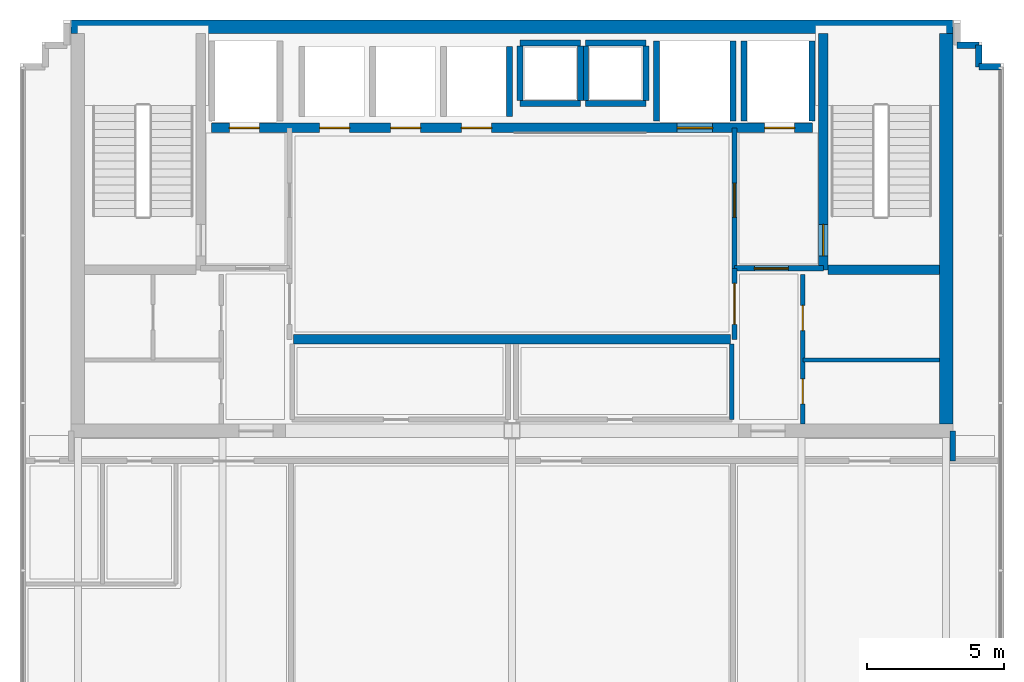
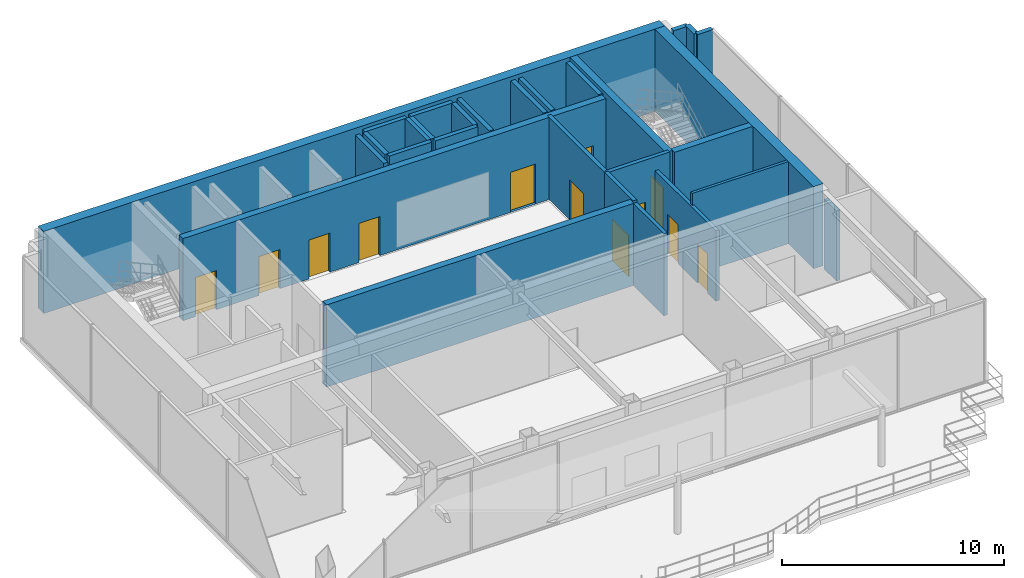
# One storey, part 7 of 11: 29 walls, 12 doors, 12 openings.
"""IFC4 building model written with IfcOpenShell, lengths in metres."""

from ifc_helpers import new_model, si_unit, direction, frame, frame_2d, origin, place, context, subcontext, project, spatial, rectangle, extrude, material, layer, layer_set, type_object, element, fill, save


model = new_model("IFC4")

# Units and contexts
model_context = context("Model", 3, precision=1e-05, world=origin(), true_north=direction((0.0, 1.0)))
body_context = subcontext(model_context, "Body", "Model", "MODEL_VIEW")
ifc_project = project(units=[si_unit("LENGTHUNIT", "METRE"), si_unit("AREAUNIT", "SQUARE_METRE"), si_unit("VOLUMEUNIT", "CUBIC_METRE"), si_unit("PLANEANGLEUNIT", "RADIAN"), si_unit("MASSUNIT", "GRAM", prefix="KILO")], contexts=[model_context])

# Site, building, storey
site_placement = place(None, origin())
site = spatial("IfcSite", under=ifc_project, at=site_placement, CompositionType="ELEMENT")
building_placement = place(site_placement, origin())
building = spatial("IfcBuilding", under=site, at=building_placement, Name="Qianlan Lanfeng Residences", CompositionType="ELEMENT")
storey_placement = place(building_placement, frame((0.0, 0.0, 266.0)))
storey = spatial("IfcBuildingStorey", under=building, at=storey_placement, Name="L74", CompositionType="ELEMENT", Elevation=266.0)

# Walls
ifc_material_1 = material(Name="Concrete C49", Category="concrete")
ifc_layer_1 = layer(ifc_material_1, 0.5)
ifc_layer_set_1 = layer_set([ifc_layer_1], Name="Concrete C49")
wall_type_1 = type_object("IfcWallType", Name="CW-EXT-500", PredefinedType="SHEAR", material=ifc_layer_set_1)
wall_1_placement = place(storey_placement, frame((10.35009765625, 40.0, 0.0), z_axis=(0.0, 0.0, 1.0), x_axis=(1.0, 0.0, 0.0)))
element("IfcWall", 1, at=wall_1_placement, inside=storey, type_object=wall_type_1, Name="L74 Core Shear Wall N", PredefinedType="SHEAR", context=body_context, shape_type="SweptSolid", body=[
    extrude(rectangle(XDim=32.2998046875, YDim=0.5, at=frame_2d((16.14990234375, 0.0))), origin(), (0.0, 0.0, 1.0), 4.52001953125),
])
wall_2_placement = place(storey_placement, frame((42.39990234375, 25.449951171875, 0.0), z_axis=(0.0, 0.0, 1.0), x_axis=(0.0, 1.0, 0.0)))
element("IfcWall", 2, at=wall_2_placement, inside=storey, type_object=wall_type_1, Name="L74 Core Shear Wall E", PredefinedType="SHEAR", context=body_context, shape_type="SweptSolid", body=[
    extrude(rectangle(XDim=14.300048828125, YDim=0.5, at=frame_2d((7.14990234375, 0.0))), origin(), (0.0, 0.0, 1.0), 4.52001953125),
])

# Wall, opening, door
ifc_layer_2 = layer(ifc_material_1, 0.35009765625)
ifc_layer_set_2 = layer_set([ifc_layer_2], Name="Concrete C49")
wall_type_2 = type_object("IfcWallType", Name="CW-RC-350", PredefinedType="SHEAR", material=ifc_layer_set_2)
wall_3_placement = place(storey_placement, frame((37.89990234375, 31.10009765625, 0.0), z_axis=(0.0, 0.0, 1.0), x_axis=(0.0, 1.0, 0.0)))
wall_3 = element("IfcWall", 3, at=wall_3_placement, inside=storey, type_object=wall_type_2, Name="L74 Core Shear Wall ST2W", PredefinedType="SHEAR", context=body_context, shape_type="SweptSolid", body=[
    extrude(rectangle(XDim=8.64990234375, YDim=0.35009765625, at=frame_2d((4.324951171875, 0.0))), origin(), (0.0, 0.0, 1.0), 4.52001953125),
])
opening_1_placement = place(wall_3_placement, frame((0.510009765625, 0.0, 0.0)))
opening_1 = element("IfcOpeningElement", 4, at=opening_1_placement, cuts=wall_3, Name="Opening L74-D08", PredefinedType="OPENING", context=body_context, shape_type="SweptSolid", body=[
    extrude(rectangle(XDim=1.14990234375, YDim=2.199951171875, at=frame_2d((0.574951171875, 1.10009765625))), frame((0.0, 0.18505859375, 0.0), z_axis=(0.0, -1.0, 0.0), x_axis=(1.0, 0.0, 0.0)), (0.0, 0.0, 1.0), 0.3701171875),
])
ifc_material_2 = material(Name="Painted Galvanised Steel Fire Door", Category="steel")
door_type_1 = type_object("IfcDoorType", Name="DT-ST1", OperationType="NOTDEFINED", PredefinedType="DOOR", material=ifc_material_2)
door_1_placement = place(opening_1_placement, origin())
door_1 = element("IfcDoor", 5, at=door_1_placement, inside=storey, type_object=door_type_1, Name="L74 Exit Stair ST-2 Door L74-D08 (DT-ST1)", OperationType="SINGLE_SWING_RIGHT", OverallHeight=2.199951171875, OverallWidth=1.14990234375, PredefinedType="DOOR", context=body_context, shape_type="SweptSolid", body=[
    extrude(rectangle(XDim=1.14990234375, YDim=2.199951171875, at=frame_2d((0.574951171875, 1.10009765625))), frame((0.0, 0.02490234375, 0.0), z_axis=(0.0, -1.0, 0.0), x_axis=(1.0, 0.0, 0.0)), (0.0, 0.0, 1.0), 0.050048828125),
])
fill(opening_1, door_1)

# Wall
wall_4_placement = place(storey_placement, frame((38.074951171875, 31.10009765625, 0.0), z_axis=(0.0, 0.0, 1.0), x_axis=(1.0, 0.0, 0.0)))
element("IfcWall", 6, at=wall_4_placement, inside=storey, type_object=wall_type_2, Name="L74 Core Shear Wall ST2S", PredefinedType="SHEAR", context=body_context, shape_type="SweptSolid", body=[
    extrude(rectangle(XDim=4.074951171875, YDim=0.35009765625, at=frame_2d((2.03759765625, 0.0))), origin(), (0.0, 0.0, 1.0), 4.52001953125),
])

# Wall, openings, doors
wall_5_placement = place(storey_placement, frame((15.5, 36.300048828125, 0.0), z_axis=(0.0, 0.0, 1.0), x_axis=(1.0, 0.0, 0.0)))
wall_5 = element("IfcWall", 7, at=wall_5_placement, inside=storey, type_object=wall_type_2, Name="L74 Core Shear Wall LBN", PredefinedType="SHEAR", context=body_context, shape_type="SweptSolid", body=[
    extrude(rectangle(XDim=22.0, YDim=0.35009765625, at=frame_2d((11.0, 0.0))), origin(), (0.0, 0.0, 1.0), 4.52001953125),
])
opening_2_placement = place(wall_5_placement, frame((0.64990234375, 0.0, 0.0)))
opening_2 = element("IfcOpeningElement", 8, at=opening_2_placement, cuts=wall_5, Name="Opening L74-LD-FFL-1", PredefinedType="OPENING", context=body_context, shape_type="SweptSolid", body=[
    extrude(rectangle(XDim=1.10009765625, YDim=2.14990234375, at=frame_2d((0.550048828125, 1.074951171875))), frame((0.0, 0.18505859375, 0.0), z_axis=(0.0, -1.0, 0.0), x_axis=(1.0, 0.0, 0.0)), (0.0, 0.0, 1.0), 0.3701171875),
])
opening_3_placement = place(wall_5_placement, frame((20.25, 0.0, 0.0)))
opening_3 = element("IfcOpeningElement", 9, at=opening_3_placement, cuts=wall_5, Name="Opening L74-LD-FFL-2", PredefinedType="OPENING", context=body_context, shape_type="SweptSolid", body=[
    extrude(rectangle(XDim=1.10009765625, YDim=2.14990234375, at=frame_2d((0.550048828125, 1.074951171875))), frame((0.0, 0.18505859375, 0.0), z_axis=(0.0, -1.0, 0.0), x_axis=(1.0, 0.0, 0.0)), (0.0, 0.0, 1.0), 0.3701171875),
])
opening_4_placement = place(wall_5_placement, frame((17.050048828125, 0.0, 0.0)))
opening_4 = element("IfcOpeningElement", 10, at=opening_4_placement, cuts=wall_5, Name="Opening L74-LD-SVL-1", PredefinedType="OPENING", context=body_context, shape_type="SweptSolid", body=[
    extrude(rectangle(XDim=1.300048828125, YDim=2.199951171875, at=frame_2d((0.64990234375, 1.10009765625))), frame((0.0, 0.18505859375, 0.0), z_axis=(0.0, -1.0, 0.0), x_axis=(1.0, 0.0, 0.0)), (0.0, 0.0, 1.0), 0.3701171875),
])
opening_5_placement = place(wall_5_placement, frame((3.949951171875, 0.0, 0.0)))
opening_5 = element("IfcOpeningElement", 11, at=opening_5_placement, cuts=wall_5, Name="Opening L74-LD-PL-H1", PredefinedType="OPENING", context=body_context, shape_type="SweptSolid", body=[
    extrude(rectangle(XDim=1.10009765625, YDim=2.14990234375, at=frame_2d((0.550048828125, 1.074951171875))), frame((0.0, 0.18505859375, 0.0), z_axis=(0.0, -1.0, 0.0), x_axis=(1.0, 0.0, 0.0)), (0.0, 0.0, 1.0), 0.3701171875),
])
opening_6_placement = place(wall_5_placement, frame((6.550048828125, 0.0, 0.0)))
opening_6 = element("IfcOpeningElement", 12, at=opening_6_placement, cuts=wall_5, Name="Opening L74-LD-PL-H2", PredefinedType="OPENING", context=body_context, shape_type="SweptSolid", body=[
    extrude(rectangle(XDim=1.10009765625, YDim=2.14990234375, at=frame_2d((0.550048828125, 1.074951171875))), frame((0.0, 0.18505859375, 0.0), z_axis=(0.0, -1.0, 0.0), x_axis=(1.0, 0.0, 0.0)), (0.0, 0.0, 1.0), 0.3701171875),
])
opening_7_placement = place(wall_5_placement, frame((9.14990234375, 0.0, 0.0)))
opening_7 = element("IfcOpeningElement", 13, at=opening_7_placement, cuts=wall_5, Name="Opening L74-LD-PL-H3", PredefinedType="OPENING", context=body_context, shape_type="SweptSolid", body=[
    extrude(rectangle(XDim=1.10009765625, YDim=2.14990234375, at=frame_2d((0.550048828125, 1.074951171875))), frame((0.0, 0.18505859375, 0.0), z_axis=(0.0, -1.0, 0.0), x_axis=(1.0, 0.0, 0.0)), (0.0, 0.0, 1.0), 0.3701171875),
])
ifc_material_3 = material(Name="Brushed Stainless Steel Sliding Lift Door", Category="steel")
door_type_2 = type_object("IfcDoorType", Name="LD-01", OperationType="NOTDEFINED", PredefinedType="DOOR", material=ifc_material_3)
door_2_placement = place(opening_2_placement, frame((1.10009765625, 0.0, 0.0), z_axis=(0.0, 0.0, 1.0), x_axis=(-1.0, 0.0, 0.0)))
door_2 = element("IfcDoor", 14, at=door_2_placement, inside=storey, type_object=door_type_2, Name="L74 Elevator FFL-1 Sliding Landing Door", OperationType="DOUBLE_DOOR_SLIDING", OverallHeight=2.14990234375, OverallWidth=1.10009765625, PredefinedType="DOOR", context=body_context, shape_type="SweptSolid", body=[
    extrude(rectangle(XDim=1.10009765625, YDim=2.14990234375, at=frame_2d((0.550048828125, 1.074951171875))), frame((0.0, 0.02490234375, 0.0), z_axis=(0.0, -1.0, 0.0), x_axis=(1.0, 0.0, 0.0)), (0.0, 0.0, 1.0), 0.050048828125),
])
fill(opening_2, door_2)
door_3_placement = place(opening_3_placement, frame((1.10009765625, 0.0, 0.0), z_axis=(0.0, 0.0, 1.0), x_axis=(-1.0, 0.0, 0.0)))
door_3 = element("IfcDoor", 15, at=door_3_placement, inside=storey, type_object=door_type_2, Name="L74 Elevator FFL-2 Sliding Landing Door", OperationType="DOUBLE_DOOR_SLIDING", OverallHeight=2.14990234375, OverallWidth=1.10009765625, PredefinedType="DOOR", context=body_context, shape_type="SweptSolid", body=[
    extrude(rectangle(XDim=1.10009765625, YDim=2.14990234375, at=frame_2d((0.550048828125, 1.074951171875))), frame((0.0, 0.02490234375, 0.0), z_axis=(0.0, -1.0, 0.0), x_axis=(1.0, 0.0, 0.0)), (0.0, 0.0, 1.0), 0.050048828125),
])
fill(opening_3, door_3)
door_4_placement = place(opening_5_placement, frame((1.10009765625, 0.0, 0.0), z_axis=(0.0, 0.0, 1.0), x_axis=(-1.0, 0.0, 0.0)))
door_4 = element("IfcDoor", 16, at=door_4_placement, inside=storey, type_object=door_type_2, Name="L74 Elevator PL-H1 Sliding Landing Door", OperationType="DOUBLE_DOOR_SLIDING", OverallHeight=2.14990234375, OverallWidth=1.10009765625, PredefinedType="DOOR", context=body_context, shape_type="SweptSolid", body=[
    extrude(rectangle(XDim=1.10009765625, YDim=2.14990234375, at=frame_2d((0.550048828125, 1.074951171875))), frame((0.0, 0.02490234375, 0.0), z_axis=(0.0, -1.0, 0.0), x_axis=(1.0, 0.0, 0.0)), (0.0, 0.0, 1.0), 0.050048828125),
])
fill(opening_5, door_4)
door_5_placement = place(opening_6_placement, frame((1.10009765625, 0.0, 0.0), z_axis=(0.0, 0.0, 1.0), x_axis=(-1.0, 0.0, 0.0)))
door_5 = element("IfcDoor", 17, at=door_5_placement, inside=storey, type_object=door_type_2, Name="L74 Elevator PL-H2 Sliding Landing Door", OperationType="DOUBLE_DOOR_SLIDING", OverallHeight=2.14990234375, OverallWidth=1.10009765625, PredefinedType="DOOR", context=body_context, shape_type="SweptSolid", body=[
    extrude(rectangle(XDim=1.10009765625, YDim=2.14990234375, at=frame_2d((0.550048828125, 1.074951171875))), frame((0.0, 0.02490234375, 0.0), z_axis=(0.0, -1.0, 0.0), x_axis=(1.0, 0.0, 0.0)), (0.0, 0.0, 1.0), 0.050048828125),
])
fill(opening_6, door_5)
door_6_placement = place(opening_7_placement, frame((1.10009765625, 0.0, 0.0), z_axis=(0.0, 0.0, 1.0), x_axis=(-1.0, 0.0, 0.0)))
door_6 = element("IfcDoor", 18, at=door_6_placement, inside=storey, type_object=door_type_2, Name="L74 Elevator PL-H3 Sliding Landing Door", OperationType="DOUBLE_DOOR_SLIDING", OverallHeight=2.14990234375, OverallWidth=1.10009765625, PredefinedType="DOOR", context=body_context, shape_type="SweptSolid", body=[
    extrude(rectangle(XDim=1.10009765625, YDim=2.14990234375, at=frame_2d((0.550048828125, 1.074951171875))), frame((0.0, 0.02490234375, 0.0), z_axis=(0.0, -1.0, 0.0), x_axis=(1.0, 0.0, 0.0)), (0.0, 0.0, 1.0), 0.050048828125),
])
fill(opening_7, door_6)
door_type_3 = type_object("IfcDoorType", Name="LD-02", OperationType="NOTDEFINED", PredefinedType="DOOR", material=ifc_material_3)
door_7_placement = place(opening_4_placement, frame((1.300048828125, 0.0, 0.0), z_axis=(0.0, 0.0, 1.0), x_axis=(-1.0, 0.0, 0.0)))
door_7 = element("IfcDoor", 19, at=door_7_placement, inside=storey, type_object=door_type_3, Name="L74 Elevator SVL-1 Sliding Landing Door", OperationType="DOUBLE_DOOR_SLIDING", OverallHeight=2.199951171875, OverallWidth=1.300048828125, PredefinedType="DOOR", context=body_context, shape_type="SweptSolid", body=[
    extrude(rectangle(XDim=1.300048828125, YDim=2.199951171875, at=frame_2d((0.64990234375, 1.10009765625))), frame((0.0, 0.02490234375, 0.0), z_axis=(0.0, -1.0, 0.0), x_axis=(1.0, 0.0, 0.0)), (0.0, 0.0, 1.0), 0.050048828125),
])
fill(opening_4, door_7)

# Walls
wall_6_placement = place(storey_placement, frame((18.5, 28.550048828125, 0.0), z_axis=(0.0, 0.0, 1.0), x_axis=(1.0, 0.0, 0.0)))
element("IfcWall", 20, at=wall_6_placement, inside=storey, type_object=wall_type_2, Name="L74 Core Shear Wall LBS", PredefinedType="SHEAR", context=body_context, shape_type="SweptSolid", body=[
    extrude(rectangle(XDim=16.0, YDim=0.35009765625, at=frame_2d((8.0, 0.0))), origin(), (0.0, 0.0, 1.0), 4.52001953125),
])
ifc_material_4 = material(Name="Concrete C42", Category="concrete")
ifc_layer_3 = layer(ifc_material_4, 0.239990234375)
ifc_layer_set_3 = layer_set([ifc_layer_3], Name="Concrete C42")
wall_type_3 = type_object("IfcWallType", Name="EW-240", PredefinedType="SOLIDWALL", material=ifc_layer_set_3)
wall_7_placement = place(storey_placement, frame((44.39990234375, 38.530029296875, 0.0), z_axis=(0.0, 0.0, 1.0), x_axis=(-1.0, 0.0, 0.0)))
element("IfcWall", 21, at=wall_7_placement, inside=storey, type_object=wall_type_3, Name="L74 Exterior Facade Wall 9", PredefinedType="SOLIDWALL", context=body_context, shape_type="SweptSolid", body=[
    extrude(rectangle(XDim=0.7998046875, YDim=0.239990234375, at=frame_2d((0.39990234375, 0.0))), origin(), (0.0, 0.0, 1.0), 4.52001953125),
])
for number, where, z_axis, x_axis, name in (
    (22, (43.60009765625, 38.530029296875, 0.0), (0.0, 0.0, 1.0), (0.0, 1.0, 0.0), "L74 Exterior Facade Wall 10"),
    (23, (43.60009765625, 39.330078125, 0.0), (0.0, 0.0, 1.0), (-1.0, 0.0, 0.0), "L74 Exterior Facade Wall 11"),
):
    element("IfcWall", number, at=place(storey_placement, frame(where, z_axis=z_axis, x_axis=x_axis)), inside=storey, type_object=wall_type_3, Name=name, PredefinedType="SOLIDWALL", context=body_context, shape_type="SweptSolid", body=[
        extrude(rectangle(XDim=0.800048828125, YDim=0.239990234375, at=frame_2d((0.39990234375, 0.0))), origin(), (0.0, 0.0, 1.0), 4.52001953125),
    ])
ifc_material_5 = material(Name="Acoustic Drywall Partition 150 mm")
ifc_layer_4 = layer(ifc_material_5, 0.14990234375)
ifc_layer_set_4 = layer_set([ifc_layer_4], Name="Acoustic Drywall Partition 150 mm")
wall_type_4 = type_object("IfcWallType", Name="PW-150", PredefinedType="PARTITIONING", material=ifc_layer_set_4)
wall_8_placement = place(storey_placement, frame((37.14990234375, 27.800048828125, 0.0), z_axis=(0.0, 0.0, 1.0), x_axis=(1.0, 0.0, 0.0)))
element("IfcWall", 24, at=wall_8_placement, inside=storey, type_object=wall_type_4, Name="L74 Core East H4", PredefinedType="PARTITIONING", context=body_context, shape_type="SweptSolid", body=[
    extrude(rectangle(XDim=5.0, YDim=0.14990234375, at=frame_2d((2.5, 0.0))), origin(), (0.0, 0.0, 1.0), 4.52001953125),
])

# Wall, openings, doors
ifc_material_6 = material(Name="Double-Layer Acoustic Gypsum Stud Wall 180 mm")
ifc_layer_5 = layer(ifc_material_6, 0.179931640625)
ifc_layer_set_5 = layer_set([ifc_layer_5], Name="Double-Layer Acoustic Gypsum Stud Wall 180 mm")
wall_type_5 = type_object("IfcWallType", Name="PW-180", PredefinedType="PARTITIONING", material=ifc_layer_set_5)
wall_9_placement = place(storey_placement, frame((37.14990234375, 25.449951171875, 0.0), z_axis=(0.0, 0.0, 1.0), x_axis=(0.0, 1.0, 0.0)))
wall_9 = element("IfcWall", 25, at=wall_9_placement, inside=storey, type_object=wall_type_5, Name="L74 Core East Service Room Wall", PredefinedType="PARTITIONING", context=body_context, shape_type="SweptSolid", body=[
    extrude(rectangle(XDim=5.47509765625, YDim=0.179931640625, at=frame_2d((2.737548828125, 0.0))), origin(), (0.0, 0.0, 1.0), 3.864990234375),
])
opening_8_placement = place(wall_9_placement, frame((0.739990234375, 0.0, 0.0)))
opening_8 = element("IfcOpeningElement", 26, at=opening_8_placement, cuts=wall_9, Name="Opening L74-D12", PredefinedType="OPENING", context=body_context, shape_type="SweptSolid", body=[
    extrude(rectangle(XDim=0.919921875, YDim=2.14990234375, at=frame_2d((0.4599609375, 1.074951171875))), frame((0.0, 0.10009765625, 0.0), z_axis=(0.0, -1.0, 0.0), x_axis=(1.0, 0.0, 0.0)), (0.0, 0.0, 1.0), 0.199951171875),
])
opening_9_placement = place(wall_9_placement, frame((3.427001953125, 0.0, 0.0)))
opening_9 = element("IfcOpeningElement", 27, at=opening_9_placement, cuts=wall_9, Name="Opening L74-D13", PredefinedType="OPENING", context=body_context, shape_type="SweptSolid", body=[
    extrude(rectangle(XDim=0.919921875, YDim=2.14990234375, at=frame_2d((0.4599609375, 1.074951171875))), frame((0.0, 0.10009765625, 0.0), z_axis=(0.0, -1.0, 0.0), x_axis=(1.0, 0.0, 0.0)), (0.0, 0.0, 1.0), 0.199951171875),
])
ifc_material_7 = material(Name="Glazed Timber Kitchen/Study Door", Category="wood")
door_type_4 = type_object("IfcDoorType", Name="DT-INT", OperationType="NOTDEFINED", PredefinedType="DOOR", material=ifc_material_7)
door_8_placement = place(opening_8_placement, origin())
door_8 = element("IfcDoor", 28, at=door_8_placement, inside=storey, type_object=door_type_4, Name="L74 Mail Closet Door L74-D12 (DT-INT)", OperationType="SINGLE_SWING_LEFT", OverallHeight=2.14990234375, OverallWidth=0.919921875, PredefinedType="DOOR", context=body_context, shape_type="SweptSolid", body=[
    extrude(rectangle(XDim=0.919921875, YDim=2.14990234375, at=frame_2d((0.4599609375, 1.074951171875))), frame((0.0, 0.02490234375, 0.0), z_axis=(0.0, -1.0, 0.0), x_axis=(1.0, 0.0, 0.0)), (0.0, 0.0, 1.0), 0.050048828125),
])
fill(opening_8, door_8)
door_9_placement = place(opening_9_placement, origin())
door_9 = element("IfcDoor", 29, at=door_9_placement, inside=storey, type_object=door_type_4, Name="L74 Refuse Closet Door L74-D13 (DT-INT)", OperationType="SINGLE_SWING_RIGHT", OverallHeight=2.14990234375, OverallWidth=0.919921875, PredefinedType="DOOR", context=body_context, shape_type="SweptSolid", body=[
    extrude(rectangle(XDim=0.919921875, YDim=2.14990234375, at=frame_2d((0.4599609375, 1.074951171875))), frame((0.0, 0.02490234375, 0.0), z_axis=(0.0, -1.0, 0.0), x_axis=(1.0, 0.0, 0.0)), (0.0, 0.0, 1.0), 0.050048828125),
])
fill(opening_9, door_9)

# Wall
wall_10_placement = place(storey_placement, frame((34.550048828125, 25.6201171875, 0.0), z_axis=(0.0, 0.0, 1.0), x_axis=(0.0, 1.0, 0.0)))
element("IfcWall", 30, at=wall_10_placement, inside=storey, type_object=wall_type_5, Name="L74 Reclaimed Mid-Bank Room East Wall", PredefinedType="PARTITIONING", context=body_context, shape_type="SweptSolid", body=[
    extrude(rectangle(XDim=2.7548828125, YDim=0.179931640625, at=frame_2d((1.37744140625, 0.0))), origin(), (0.0, 0.0, 1.0), 4.52001953125),
])

# Wall, opening, door
ifc_material_8 = material(Name="Autoclaved Aerated Concrete Blockwork 200 mm", Category="masonry")
ifc_layer_6 = layer(ifc_material_8, 0.199951171875)
ifc_layer_set_6 = layer_set([ifc_layer_6], Name="Autoclaved Aerated Concrete Blockwork 200 mm")
wall_type_6 = type_object("IfcWallType", Name="PW-200", PredefinedType="PARTITIONING", material=ifc_layer_set_6)
wall_11_placement = place(storey_placement, frame((34.64990234375, 31.14990234375, 0.0), z_axis=(0.0, 0.0, 1.0), x_axis=(1.0, 0.0, 0.0)))
wall_11 = element("IfcWall", 31, at=wall_11_placement, inside=storey, type_object=wall_type_6, Name="L74 Firefighting Lobby 2 South Wall", PredefinedType="PARTITIONING", context=body_context, shape_type="SweptSolid", body=[
    extrude(rectangle(XDim=3.25, YDim=0.199951171875, at=frame_2d((1.625, 0.0))), origin(), (0.0, 0.0, 1.0), 4.52001953125),
])
opening_10_placement = place(wall_11_placement, frame((0.72509765625, 0.0, 0.0)))
opening_10 = element("IfcOpeningElement", 32, at=opening_10_placement, cuts=wall_11, Name="Opening L74-D05", PredefinedType="OPENING", context=body_context, shape_type="SweptSolid", body=[
    extrude(rectangle(XDim=1.25, YDim=2.199951171875, at=frame_2d((0.625, 1.10009765625))), frame((0.0, 0.10986328125, 0.0), z_axis=(0.0, -1.0, 0.0), x_axis=(1.0, 0.0, 0.0)), (0.0, 0.0, 1.0), 0.219970703125),
])
door_type_5 = type_object("IfcDoorType", Name="DT-FFL", OperationType="NOTDEFINED", PredefinedType="DOOR", material=ifc_material_2)
door_10_placement = place(opening_10_placement, origin())
door_10 = element("IfcDoor", 33, at=door_10_placement, inside=storey, type_object=door_type_5, Name="L74 Firefighting Lobby 2 Entry Door L74-D05 (DT-FFL)", OperationType="SINGLE_SWING_RIGHT", OverallHeight=2.199951171875, OverallWidth=1.25, PredefinedType="DOOR", context=body_context, shape_type="SweptSolid", body=[
    extrude(rectangle(XDim=1.25, YDim=2.199951171875, at=frame_2d((0.625, 1.10009765625))), frame((0.0, 0.02490234375, 0.0), z_axis=(0.0, -1.0, 0.0), x_axis=(1.0, 0.0, 0.0)), (0.0, 0.0, 1.0), 0.050048828125),
])
fill(opening_10, door_10)

wall_12_placement = place(storey_placement, frame((34.64990234375, 31.14990234375, 0.0), z_axis=(0.0, 0.0, 1.0), x_axis=(0.0, 1.0, 0.0)))
wall_12 = element("IfcWall", 34, at=wall_12_placement, inside=storey, type_object=wall_type_6, Name="L74 Firefighting Lobby 2 West Wall", PredefinedType="PARTITIONING", context=body_context, shape_type="SweptSolid", body=[
    extrude(rectangle(XDim=5.150146484375, YDim=0.199951171875, at=frame_2d((2.5751953125, 0.0))), origin(), (0.0, 0.0, 1.0), 4.52001953125),
])
opening_11_placement = place(wall_12_placement, frame((1.875, 0.0, 0.0)))
opening_11 = element("IfcOpeningElement", 35, at=opening_11_placement, cuts=wall_12, Name="Opening L74-D06", PredefinedType="OPENING", context=body_context, shape_type="SweptSolid", body=[
    extrude(rectangle(XDim=1.25, YDim=2.199951171875, at=frame_2d((0.625, 1.10009765625))), frame((0.0, 0.10986328125, 0.0), z_axis=(0.0, -1.0, 0.0), x_axis=(1.0, 0.0, 0.0)), (0.0, 0.0, 1.0), 0.219970703125),
])
door_11_placement = place(opening_11_placement, origin())
door_11 = element("IfcDoor", 36, at=door_11_placement, inside=storey, type_object=door_type_5, Name="L74 Firefighting Lobby 2 Lift Lobby Door L74-D06 (DT-FFL)", OperationType="SINGLE_SWING_LEFT", OverallHeight=2.199951171875, OverallWidth=1.25, PredefinedType="DOOR", context=body_context, shape_type="SweptSolid", body=[
    extrude(rectangle(XDim=1.25, YDim=2.199951171875, at=frame_2d((0.625, 1.10009765625))), frame((0.0, 0.02490234375, 0.0), z_axis=(0.0, -1.0, 0.0), x_axis=(1.0, 0.0, 0.0)), (0.0, 0.0, 1.0), 0.050048828125),
])
fill(opening_11, door_11)

wall_13_placement = place(storey_placement, frame((34.64990234375, 28.550048828125, 0.0), z_axis=(0.0, 0.0, 1.0), x_axis=(0.0, 1.0, 0.0)))
wall_13 = element("IfcWall", 37, at=wall_13_placement, inside=storey, type_object=wall_type_6, Name="L74 Lift Lobby East Connector Wall", PredefinedType="PARTITIONING", context=body_context, shape_type="SweptSolid", body=[
    extrude(rectangle(XDim=2.599853515625, YDim=0.199951171875, at=frame_2d((1.2998046875, 0.0))), origin(), (0.0, 0.0, 1.0), 4.52001953125),
])
opening_12_placement = place(wall_13_placement, frame((0.550048828125, 0.0, 0.0)))
opening_12 = element("IfcOpeningElement", 38, at=opening_12_placement, cuts=wall_13, Name="Opening L74-D15", PredefinedType="OPENING", context=body_context, shape_type="SweptSolid", body=[
    extrude(rectangle(XDim=1.5, YDim=2.25, at=frame_2d((0.75, 1.125))), frame((0.0, 0.10986328125, 0.0), z_axis=(0.0, -1.0, 0.0), x_axis=(1.0, 0.0, 0.0)), (0.0, 0.0, 1.0), 0.219970703125),
])
ifc_material_9 = material(Name="Timber Veneer Acoustic Fire Door", Category="wood")
door_type_6 = type_object("IfcDoorType", Name="DT-COR1", OperationType="NOTDEFINED", PredefinedType="DOOR", material=ifc_material_9)
door_12_placement = place(opening_12_placement, frame((1.5, 0.0, 0.0), z_axis=(0.0, 0.0, 1.0), x_axis=(-1.0, 0.0, 0.0)))
door_12 = element("IfcDoor", 39, at=door_12_placement, inside=storey, type_object=door_type_6, Name="L74 Lift Lobby East Portal Door L74-D15 (DT-COR1)", OperationType="DOUBLE_DOOR_SINGLE_SWING", OverallHeight=2.25, OverallWidth=1.5, PredefinedType="DOOR", context=body_context, shape_type="SweptSolid", body=[
    extrude(rectangle(XDim=1.5, YDim=2.25, at=frame_2d((0.75, 1.125))), frame((0.0, 0.02490234375, 0.0), z_axis=(0.0, -1.0, 0.0), x_axis=(1.0, 0.0, 0.0)), (0.0, 0.0, 1.0), 0.050048828125),
])
fill(opening_12, door_12)

# Walls
wall_14_placement = place(storey_placement, frame((42.64990234375, 24.10009765625, 0.0), z_axis=(0.0, 0.0, 1.0), x_axis=(0.0, 1.0, 0.0)))
element("IfcWall", 40, at=wall_14_placement, inside=storey, type_object=wall_type_6, Name="L74 NE Core Return Wall", PredefinedType="PARTITIONING", context=body_context, shape_type="SweptSolid", body=[
    extrude(rectangle(XDim=1.099853515625, YDim=0.199951171875, at=frame_2d((0.5498046875, 0.0))), origin(), (0.0, 0.0, 1.0), 3.864990234375),
])
ifc_layer_7 = layer(ifc_material_1, 0.219970703125)
ifc_layer_set_7 = layer_set([ifc_layer_7], Name="Concrete C49")
wall_type_7 = type_object("IfcWallType", Name="SHW-220", PredefinedType="SOLIDWALL", material=ifc_layer_set_7)
for number, where, z_axis, x_axis, name in (
    (41, (35.0, 36.550048828125, 0.0), (0.0, 0.0, 1.0), (0.0, 1.0, 0.0), "L74 Lift FFL-2 Shaft Wall W"),
    (42, (37.47998046875, 36.550048828125, 0.0), (0.0, 0.0, 1.0), (0.0, 1.0, 0.0), "L74 Lift FFL-2 Shaft Wall E"),
    (43, (31.800048828125, 36.550048828125, 0.0), (0.0, 0.0, 1.0), (0.0, 1.0, 0.0), "L74 Lift SVL-1 Shaft Wall W"),
    (44, (34.60009765625, 36.550048828125, 0.0), (0.0, 0.0, 1.0), (0.0, 1.0, 0.0), "L74 Lift SVL-1 Shaft Wall E"),
):
    element("IfcWall", number, at=place(storey_placement, frame(where, z_axis=z_axis, x_axis=x_axis)), inside=storey, type_object=wall_type_7, Name=name, PredefinedType="SOLIDWALL", context=body_context, shape_type="SweptSolid", body=[
        extrude(rectangle(XDim=2.929931640625, YDim=0.219970703125, at=frame_2d((1.46484375, 0.0))), origin(), (0.0, 0.0, 1.0), 4.52001953125),
    ])
wall_15_placement = place(storey_placement, frame((26.39990234375, 36.719970703125, 0.0), z_axis=(0.0, 0.0, 1.0), x_axis=(0.0, 1.0, 0.0)))
element("IfcWall", 45, at=wall_15_placement, inside=storey, type_object=wall_type_7, Name="L74 Lift PL-H3 Shaft Wall E", PredefinedType="SOLIDWALL", context=body_context, shape_type="SweptSolid", body=[
    extrude(rectangle(XDim=2.56005859375, YDim=0.219970703125, at=frame_2d((1.280029296875, 0.0))), origin(), (0.0, 0.0, 1.0), 4.52001953125),
])
for number, where, z_axis, x_axis, name in (
    (46, (26.800048828125, 37.31005859375, 0.0), (0.0, 0.0, 1.0), (0.0, 1.0, 0.0), "L74 MEP Riser MEP-R1 Shaft Wall W"),
    (47, (29.0, 37.31005859375, 0.0), (0.0, 0.0, 1.0), (0.0, 1.0, 0.0), "L74 MEP Riser MEP-R1 Shaft Wall E"),
):
    element("IfcWall", number, at=place(storey_placement, frame(where, z_axis=z_axis, x_axis=x_axis)), inside=storey, type_object=wall_type_7, Name=name, PredefinedType="SOLIDWALL", context=body_context, shape_type="SweptSolid", body=[
        extrude(rectangle(XDim=1.97998046875, YDim=0.219970703125, at=frame_2d((0.989990234375, 0.0))), origin(), (0.0, 0.0, 1.0), 4.52001953125),
    ])
for number, where, z_axis, x_axis, name in (
    (48, (26.800048828125, 39.39990234375, 0.0), (0.0, 0.0, 1.0), (1.0, 0.0, 0.0), "L74 MEP Riser MEP-R1 Shaft Wall N"),
    (49, (26.800048828125, 37.199951171875, 0.0), (0.0, 0.0, 1.0), (1.0, 0.0, 0.0), "L74 MEP Riser MEP-R1 Shaft Wall S"),
):
    element("IfcWall", number, at=place(storey_placement, frame(where, z_axis=z_axis, x_axis=x_axis)), inside=storey, type_object=wall_type_7, Name=name, PredefinedType="SOLIDWALL", context=body_context, shape_type="SweptSolid", body=[
        extrude(rectangle(XDim=2.199951171875, YDim=0.219970703125, at=frame_2d((1.10009765625, 0.0))), origin(), (0.0, 0.0, 1.0), 4.52001953125),
    ])
for number, where, z_axis, x_axis, name in (
    (50, (29.199951171875, 37.31005859375, 0.0), (0.0, 0.0, 1.0), (0.0, 1.0, 0.0), "L74 MEP Riser MEP-R2 Shaft Wall W"),
    (51, (31.39990234375, 37.31005859375, 0.0), (0.0, 0.0, 1.0), (0.0, 1.0, 0.0), "L74 MEP Riser MEP-R2 Shaft Wall E"),
):
    element("IfcWall", number, at=place(storey_placement, frame(where, z_axis=z_axis, x_axis=x_axis)), inside=storey, type_object=wall_type_7, Name=name, PredefinedType="SOLIDWALL", context=body_context, shape_type="SweptSolid", body=[
        extrude(rectangle(XDim=1.97998046875, YDim=0.219970703125, at=frame_2d((0.989990234375, 0.0))), origin(), (0.0, 0.0, 1.0), 4.52001953125),
    ])
for number, where, z_axis, x_axis, name in (
    (52, (29.199951171875, 39.39990234375, 0.0), (0.0, 0.0, 1.0), (1.0, 0.0, 0.0), "L74 MEP Riser MEP-R2 Shaft Wall N"),
    (53, (29.199951171875, 37.199951171875, 0.0), (0.0, 0.0, 1.0), (1.0, 0.0, 0.0), "L74 MEP Riser MEP-R2 Shaft Wall S"),
):
    element("IfcWall", number, at=place(storey_placement, frame(where, z_axis=z_axis, x_axis=x_axis)), inside=storey, type_object=wall_type_7, Name=name, PredefinedType="SOLIDWALL", context=body_context, shape_type="SweptSolid", body=[
        extrude(rectangle(XDim=2.199951171875, YDim=0.219970703125, at=frame_2d((1.10009765625, 0.0))), origin(), (0.0, 0.0, 1.0), 4.52001953125),
    ])

save(model, "model.ifc")
